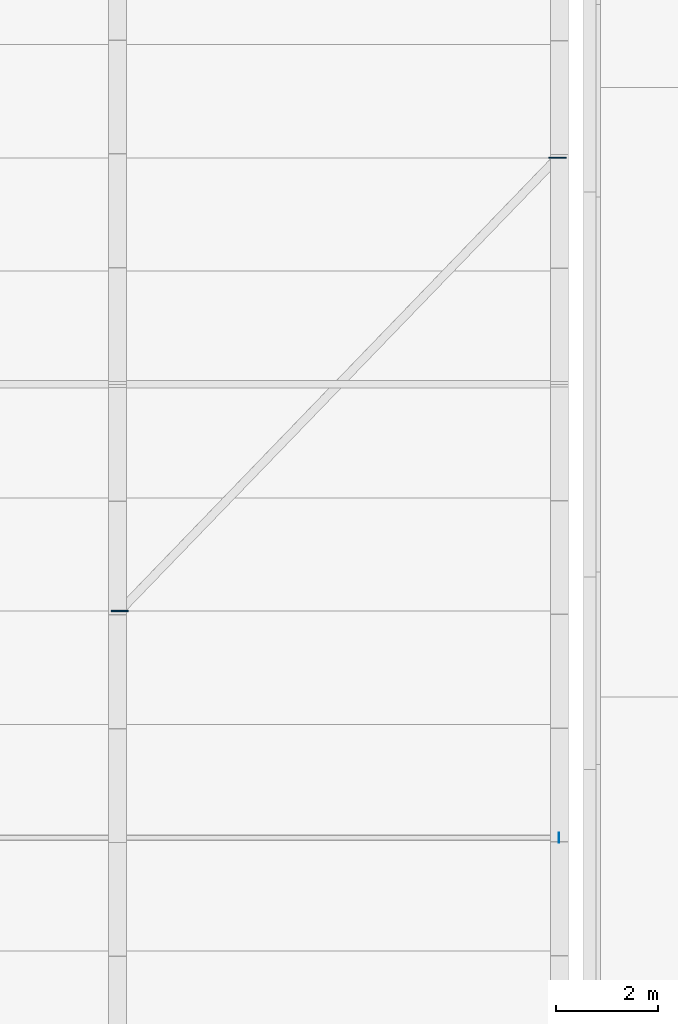
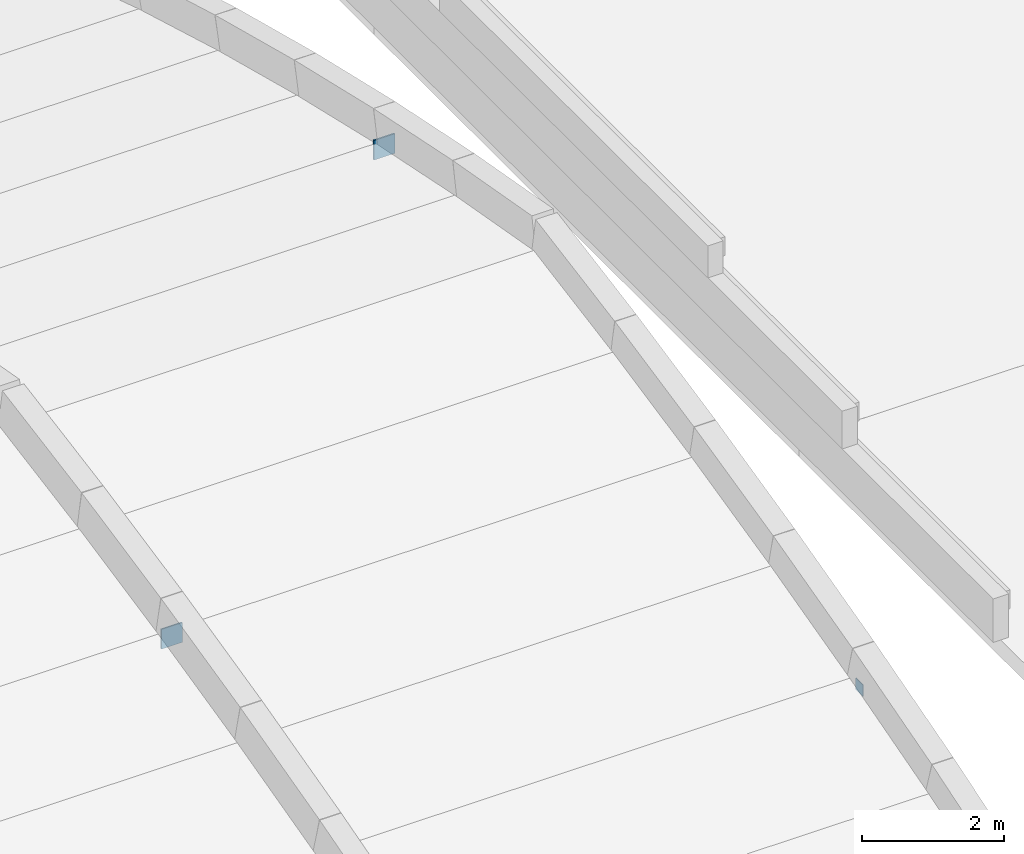
# One storey, part 53 of 56: 3 plates.
"""IFC4 building model written with IfcOpenShell, lengths in metres."""

from ifc_helpers import new_model, si_unit, direction, frame, origin, origin_2d, place, context, subcontext, project, spatial, rectangle, extrude, material, layer, layer_set, type_object, element, save


model = new_model("IFC4")

# Units and contexts
model_context = context("Model", 3, precision=1e-05, world=origin(), true_north=direction((0.0, 1.0)))
body_context = subcontext(model_context, "Body", "Model", "MODEL_VIEW")
ifc_project = project(units=[si_unit("LENGTHUNIT", "METRE"), si_unit("AREAUNIT", "SQUARE_METRE"), si_unit("VOLUMEUNIT", "CUBIC_METRE"), si_unit("PLANEANGLEUNIT", "RADIAN"), si_unit("MASSUNIT", "GRAM", prefix="KILO")], contexts=[model_context])

# Site, building, storey
site_placement = place(None, origin())
site = spatial("IfcSite", under=ifc_project, at=site_placement, CompositionType="ELEMENT")
building_placement = place(site_placement, origin())
building = spatial("IfcBuilding", under=site, at=building_placement, Name="Zacnel Wholesale Market", CompositionType="ELEMENT")
storey_placement = place(building_placement, frame((0.0, 0.0, 20.300048828125)))
storey = spatial("IfcBuildingStorey", under=building, at=storey_placement, Name="RF", CompositionType="ELEMENT", Elevation=20.300048828125)

# Plates
ifc_material_1 = material(Name="Steel S355", Category="steel")
ifc_layer_1 = layer(ifc_material_1, 0.010009765625)
ifc_layer_set_1 = layer_set([ifc_layer_1], Name="Steel S355")
plate_type_1 = type_object("IfcPlateType", Name="PLT-CAP-200X10", PredefinedType="SHEET", material=ifc_layer_set_1)
plate_placement = place(storey_placement, frame((143.68505859375, 105.22509765625, -6.3701171875), z_axis=(0.0, 0.0, 1.0), x_axis=(0.0, 1.0, 0.0)))
element("IfcPlate", 1, at=plate_placement, inside=storey, type_object=plate_type_1, Name="Tie purlin end cap plate 0022-B", PredefinedType="SHEET", context=body_context, shape_type="SweptSolid", body=[
    extrude(rectangle(XDim=0.199951171875, YDim=0.010009765625, at=origin_2d()), origin(), (0.0, 0.0, 1.0), 0.199951171875),
])
ifc_material_2 = material(Name="Steel S355", Category="steel")
ifc_layer_2 = layer(ifc_material_2, 0.02392578125)
ifc_layer_set_2 = layer_set([ifc_layer_2], Name="Steel S355")
plate_type_2 = type_object("IfcPlateType", Name="PLT-GUS-340X24", PredefinedType="SHEET", material=ifc_layer_set_2)
for number, where, z_axis, x_axis, name in (
    (2, (135.0400390625, 109.6875, -5.22998046875), (0.0, 0.0, 1.0), (1.0, 0.0, 0.0), "Shell diaphragm brace end plate 009-A"),
    (3, (143.659912109375, 118.612548828125, -5.22998046875), (0.0, 0.0, 1.0), (1.0, 0.0, 0.0), "Shell diaphragm brace end plate 009-B"),
):
    element("IfcPlate", number, at=place(storey_placement, frame(where, z_axis=z_axis, x_axis=x_axis)), inside=storey, type_object=plate_type_2, Name=name, PredefinedType="SHEET", context=body_context, shape_type="SweptSolid", body=[
        extrude(rectangle(XDim=0.340087890625, YDim=0.02392578125, at=origin_2d()), origin(), (0.0, 0.0, 1.0), 0.340087890625),
    ])

save(model, "model.ifc")
